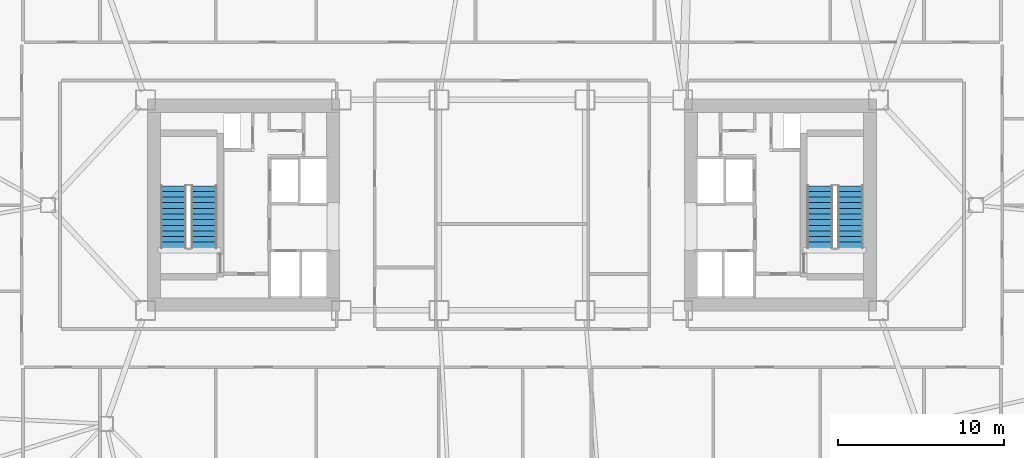
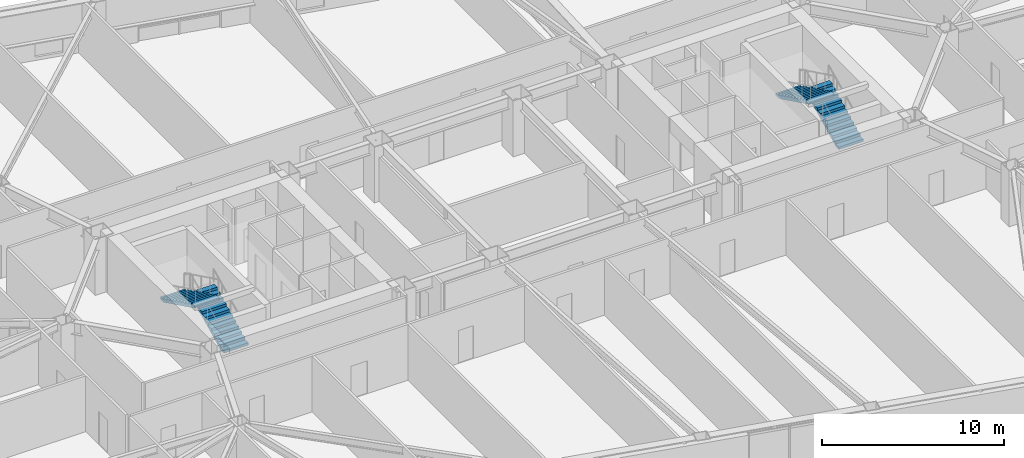
# One storey, part 14 of 21: 4 stair flights, 2 elements without a shape of their own.
"""IFC4 building model written with IfcOpenShell, lengths in metres."""

import ifcopenshell
import ifcopenshell.guid

model = None  # the IFC model being written
_history = None  # IfcOwnerHistory: only IFC2X3 demands one
_inside = {}  # id of a spatial element -> (the spatial element, [elements in it])
_under = {}  # id of a project, library or spatial element -> (it, [spatial elements below it])
_declared = {}  # id of a project -> (the project, [libraries it declares])
_typed = {}  # id of a type object -> (the type object, [elements of that type])
_made_of = {}  # id of a material, layer set ... -> (it, [elements and type objects made of it])


def new_model(schema):
    """Start an empty IFC model of exactly this schema.

    Asked for "IFC4X3", IfcOpenShell would pick the latest addendum, in which some entities
    have other attributes; the version numbers below select the first issue.
    IFC2X3 requires an IfcOwnerHistory on every rooted entity: one is made here for all.
    """
    global model, _history
    if schema == "IFC4X3":
        model = ifcopenshell.file(schema_version=(4, 3, 0, 0))
    else:
        model = ifcopenshell.file(schema=schema)
    _inside.clear()
    _under.clear()
    _declared.clear()
    _typed.clear()
    _made_of.clear()
    _history = None
    if model.schema == "IFC2X3":
        org = make("IfcOrganization", Name="unknown")
        user = make(
            "IfcPersonAndOrganization",
            ThePerson=make("IfcPerson", FamilyName="unknown"),
            TheOrganization=org,
        )
        app = make(
            "IfcApplication",
            ApplicationDeveloper=org,
            Version="unknown",
            ApplicationFullName="unknown",
            ApplicationIdentifier="unknown",
        )
        _history = make(
            "IfcOwnerHistory",
            OwningUser=user,
            OwningApplication=app,
            ChangeAction="ADDED",
            CreationDate=0,
        )
    return model


def make(cls, **values):
    """One entity of the class cls with the attributes given. An attribute that is None is left unset."""
    return model.create_entity(
        cls, **{name: value for name, value in values.items() if value is not None}
    )


def rooted(cls, **values):
    """An entity with a GlobalId (a new one), such as an element, a storey or a relation."""
    return make(cls, GlobalId=ifcopenshell.guid.new(), OwnerHistory=_history, **values)


def si_unit(unit_type, name, prefix=None):
    """IfcSIUnit, for example si_unit("LENGTHUNIT", "METRE", prefix="MILLI")."""
    return make("IfcSIUnit", UnitType=unit_type, Prefix=prefix, Name=name)


def assignment(units):
    """IfcUnitAssignment: the units of a project."""
    return None if units is None else make("IfcUnitAssignment", Units=units)


def point(xyz):
    """IfcCartesianPoint."""
    return None if xyz is None else make("IfcCartesianPoint", Coordinates=xyz)


def direction(xyz):
    """IfcDirection."""
    return None if xyz is None else make("IfcDirection", DirectionRatios=xyz)


def frame(location, z_axis=None, x_axis=None):
    """IfcAxis2Placement3D, a coordinate frame: its origin and axes. An axis left out is left unset."""
    return make(
        "IfcAxis2Placement3D",
        Location=point(location),
        Axis=direction(z_axis),
        RefDirection=direction(x_axis),
    )


def origin():
    """The frame at (0, 0, 0) with its axes left unset."""
    return frame((0.0, 0.0, 0.0))


def place(relative_to, where):
    """IfcLocalPlacement: puts the frame where relative to a parent placement (None: the world)."""
    return make(
        "IfcLocalPlacement", PlacementRelTo=relative_to, RelativePlacement=where
    )


def context(
    kind, dimensions, precision=None, world=None, true_north=None, identifier=None
):
    """IfcGeometricRepresentationContext, for example the 3D "Model" context."""
    return make(
        "IfcGeometricRepresentationContext",
        ContextIdentifier=identifier,
        ContextType=kind,
        CoordinateSpaceDimension=dimensions,
        Precision=precision,
        WorldCoordinateSystem=world,
        TrueNorth=true_north,
    )


def subcontext(parent, identifier, kind, view, scale=None):
    """IfcGeometricRepresentationSubContext, for example "Body" below "Model"."""
    return make(
        "IfcGeometricRepresentationSubContext",
        ContextIdentifier=identifier,
        ContextType=kind,
        ParentContext=parent,
        TargetScale=scale,
        TargetView=view,
    )


def project(units=None, contexts=None):
    """IfcProject with its units and contexts."""
    return rooted(
        "IfcProject",
        Name="project",
        RepresentationContexts=contexts,
        UnitsInContext=assignment(units),
    )


def spatial(cls, under=None, at=None, **own):
    """A site, building, storey or space (cls), placed at a placement, below another one or the project."""
    s = rooted(cls, ObjectPlacement=at, **own)
    if under is not None:
        _under.setdefault(under.id(), (under, []))[1].append(s)
    return s


def polyline(points):
    """IfcPolyline through the points."""
    return make("IfcPolyline", Points=[point(p) for p in points])


def outline(outer, holes=None, kind="AREA"):
    """IfcArbitraryClosedProfileDef: a profile drawn as a closed curve; with holes, ...WithVoids."""
    if holes is None:
        return make("IfcArbitraryClosedProfileDef", ProfileType=kind, OuterCurve=outer)
    return make(
        "IfcArbitraryProfileDefWithVoids",
        ProfileType=kind,
        OuterCurve=outer,
        InnerCurves=holes,
    )


def extrude(swept, where, along, depth):
    """IfcExtrudedAreaSolid: the profile swept, set in the frame where, extruded along a direction by depth."""
    return make(
        "IfcExtrudedAreaSolid",
        SweptArea=swept,
        Position=where,
        ExtrudedDirection=direction(along),
        Depth=depth,
    )


def shape(context_of_items, identifier, shape_type, items):
    """IfcShapeRepresentation: the items that make up one representation, for example the "Body"."""
    return make(
        "IfcShapeRepresentation",
        ContextOfItems=context_of_items,
        RepresentationIdentifier=identifier,
        RepresentationType=shape_type,
        Items=items,
    )


def material(Name=None, Category=None):
    """IfcMaterial."""
    return make("IfcMaterial", Name=Name, Category=Category)


def made_of(thing, what):
    """Note that an element or type object is made of a material, layer set ...; save() writes the relation."""
    if what is not None:
        _made_of.setdefault(what.id(), (what, []))[1].append(thing)
    return thing


def type_object(cls, material=None, **own):
    """A type object (cls), such as IfcWallType, which elements share."""
    return made_of(rooted(cls, **own), material)


def element(
    cls,
    number,
    at=None,
    inside=None,
    cuts=None,
    type_object=None,
    material=None,
    context=None,
    identifier="Body",
    shape_type=None,
    held_by="IfcProductDefinitionShape",
    body=None,
    shapes=None,
    **own,
):
    """One element of the class cls, such as IfcWall. Its Tag is "e" and its number.

    at: its placement. inside: the storey or other place that contains it. cuts: it is an
    opening in that element (IfcRelVoidsElement). A single representation is given by context,
    identifier, shape_type and body (its items); several are given by shapes. held_by: the class
    of the entity that holds the representations. save() writes the other relations.
    """
    e = rooted(cls, Tag="e%d" % number, ObjectPlacement=at, **own)
    if body is not None:
        shapes = [shape(context, identifier, shape_type, body)]
    if shapes is not None:
        e.Representation = make(held_by, Representations=shapes)
    if inside is not None:
        _inside.setdefault(inside.id(), (inside, []))[1].append(e)
    if cuts is not None:
        rooted(
            "IfcRelVoidsElement", RelatingBuildingElement=cuts, RelatedOpeningElement=e
        )
    if type_object is not None:
        _typed.setdefault(type_object.id(), (type_object, []))[1].append(e)
    return made_of(e, material)


def aggregate(whole, parts):
    """IfcRelAggregates: a whole, such as a stair, and the parts it consists of."""
    return rooted("IfcRelAggregates", RelatingObject=whole, RelatedObjects=parts)


def save(model, path):
    """Write the relations noted so far, then the file.

    IfcRelAggregates (storeys below a building ...), IfcRelContainedInSpatialStructure (elements
    in a storey), IfcRelDefinesByType, IfcRelAssociatesMaterial and IfcRelDeclares: one each for
    every whole, place, type object, material and project.
    """
    for whole, parts in _under.values():
        aggregate(whole, parts)
    for where, things in _inside.values():
        rooted(
            "IfcRelContainedInSpatialStructure",
            RelatedElements=things,
            RelatingStructure=where,
        )
    for kind, things in _typed.values():
        rooted("IfcRelDefinesByType", RelatedObjects=things, RelatingType=kind)
    for what, things in _made_of.values():
        rooted("IfcRelAssociatesMaterial", RelatedObjects=things, RelatingMaterial=what)
    for by, libraries in _declared.values():
        rooted("IfcRelDeclares", RelatingContext=by, RelatedDefinitions=libraries)
    model.write(path)


model = new_model("IFC4")

# Units and contexts
model_context = context("Model", 3, precision=1e-05, world=origin(), true_north=direction((0.0, 1.0)))
body_context = subcontext(model_context, "Body", "Model", "MODEL_VIEW")
ifc_project = project(units=[si_unit("LENGTHUNIT", "METRE"), si_unit("AREAUNIT", "SQUARE_METRE"), si_unit("VOLUMEUNIT", "CUBIC_METRE"), si_unit("PLANEANGLEUNIT", "RADIAN"), si_unit("MASSUNIT", "GRAM", prefix="KILO")], contexts=[model_context])

# Site, building, storey
site_placement = place(None, origin())
site = spatial("IfcSite", under=ifc_project, at=site_placement, CompositionType="ELEMENT")
building_placement = place(site_placement, origin())
building = spatial("IfcBuilding", under=site, at=building_placement, Name="Tavrogorsk Clinical Tower", CompositionType="ELEMENT")
storey_placement = place(building_placement, frame((0.0, 0.0, 59.39990234375)))
storey = spatial("IfcBuildingStorey", under=building, at=storey_placement, Name="L12", CompositionType="ELEMENT", Elevation=59.39990234375)

# Stair, stair flights
ifc_material_1 = material(Name="Concrete B60", Category="concrete")
stair_type = type_object("IfcStairType", Name="CoreStairAssembly", PredefinedType="HALF_TURN_STAIR", material=ifc_material_1)
stair_1_placement = place(storey_placement, origin())
stair_1 = element("IfcStair", 1, at=stair_1_placement, inside=storey, type_object=stair_type, Name="L12 ST-W", PredefinedType="HALF_TURN_STAIR")
ifc_material_2 = material(Name="Concrete B60", Category="concrete")
stair_flight_type = type_object("IfcStairFlightType", Name="CoreStairFlight", PredefinedType="STRAIGHT", material=ifc_material_2)
stair_flight_1_placement = place(storey_placement, frame((-18.574951171875, -2.574951171875, 0.0), z_axis=(0.0, 0.0, 1.0), x_axis=(0.0, 1.0, 0.0)))
stair_flight_1 = element("IfcStairFlight", 2, at=stair_flight_1_placement, type_object=stair_flight_type, Name="ST-W flight 1", NumberOfRisers=12, NumberOfTreads=11, PredefinedType="STRAIGHT", RiserHeight=0.166666667, TreadLength=0.34, context=body_context, shape_type="SweptSolid", body=[
    extrude(outline(polyline([(0.0, 0.0), (0.0, 0.166748046875), (0.340087890625, 0.166748046875), (0.340087890625, 0.333251953125), (0.679931640625, 0.333251953125), (0.679931640625, 0.5), (1.02001953125, 0.5), (1.02001953125, 0.666748046875), (1.360107421875, 0.666748046875), (1.360107421875, 0.833251953125), (1.699951171875, 0.833251953125), (1.699951171875, 1.0), (2.0400390625, 1.0), (2.0400390625, 1.166748046875), (2.3798828125, 1.166748046875), (2.3798828125, 1.333251953125), (2.719970703125, 1.333251953125), (2.719970703125, 1.5), (3.06005859375, 1.5), (3.06005859375, 1.666748046875), (3.39990234375, 1.666748046875), (3.39990234375, 1.833251953125), (3.739990234375, 1.833251953125), (3.739990234375, 2.0), (3.739990234375, 1.66650390625), (0.340576171875, 0.0), (0.0, 0.0)])), frame((0.0, 0.77490234375, 0.0), z_axis=(0.0, -1.0, 0.0), x_axis=(1.0, 0.0, 0.0)), (0.0, 0.0, 1.0), 1.550048828125),
])
stair_flight_2_placement = place(storey_placement, frame((-20.425048828125, 1.1650390625, 2.0), z_axis=(0.0, 0.0, 1.0), x_axis=(0.0, -1.0, 0.0)))
stair_flight_2 = element("IfcStairFlight", 3, at=stair_flight_2_placement, type_object=stair_flight_type, Name="ST-W flight 2", NumberOfRisers=12, NumberOfTreads=11, PredefinedType="STRAIGHT", RiserHeight=0.166666667, TreadLength=0.34, context=body_context, shape_type="SweptSolid", body=[
    extrude(outline(polyline([(0.0, 0.0), (0.0, 0.166748046875), (0.340087890625, 0.166748046875), (0.340087890625, 0.333251953125), (0.679931640625, 0.333251953125), (0.679931640625, 0.5), (1.02001953125, 0.5), (1.02001953125, 0.666748046875), (1.360107421875, 0.666748046875), (1.360107421875, 0.833251953125), (1.699951171875, 0.833251953125), (1.699951171875, 1.0), (2.0400390625, 1.0), (2.0400390625, 1.166748046875), (2.3798828125, 1.166748046875), (2.3798828125, 1.333251953125), (2.719970703125, 1.333251953125), (2.719970703125, 1.5), (3.06005859375, 1.5), (3.06005859375, 1.666748046875), (3.39990234375, 1.666748046875), (3.39990234375, 1.833251953125), (3.739990234375, 1.833251953125), (3.739990234375, 2.0), (3.739990234375, 1.66650390625), (0.340576171875, 0.0), (0.0, 0.0)])), frame((0.0, 0.77490234375, 0.0), z_axis=(0.0, -1.0, 0.0), x_axis=(1.0, 0.0, 0.0)), (0.0, 0.0, 1.0), 1.550048828125),
])
aggregate(stair_1, [stair_flight_1, stair_flight_2])

stair_2_placement = place(storey_placement, origin())
stair_2 = element("IfcStair", 4, at=stair_2_placement, inside=storey, type_object=stair_type, Name="L12 ST-E", PredefinedType="HALF_TURN_STAIR")
stair_flight_3_placement = place(storey_placement, frame((20.425048828125, -2.574951171875, 0.0), z_axis=(0.0, 0.0, 1.0), x_axis=(0.0, 1.0, 0.0)))
stair_flight_3 = element("IfcStairFlight", 5, at=stair_flight_3_placement, type_object=stair_flight_type, Name="ST-E flight 1", NumberOfRisers=12, NumberOfTreads=11, PredefinedType="STRAIGHT", RiserHeight=0.166666667, TreadLength=0.34, context=body_context, shape_type="SweptSolid", body=[
    extrude(outline(polyline([(0.0, 0.0), (0.0, 0.166748046875), (0.340087890625, 0.166748046875), (0.340087890625, 0.333251953125), (0.679931640625, 0.333251953125), (0.679931640625, 0.5), (1.02001953125, 0.5), (1.02001953125, 0.666748046875), (1.360107421875, 0.666748046875), (1.360107421875, 0.833251953125), (1.699951171875, 0.833251953125), (1.699951171875, 1.0), (2.0400390625, 1.0), (2.0400390625, 1.166748046875), (2.3798828125, 1.166748046875), (2.3798828125, 1.333251953125), (2.719970703125, 1.333251953125), (2.719970703125, 1.5), (3.06005859375, 1.5), (3.06005859375, 1.666748046875), (3.39990234375, 1.666748046875), (3.39990234375, 1.833251953125), (3.739990234375, 1.833251953125), (3.739990234375, 2.0), (3.739990234375, 1.66650390625), (0.340576171875, 0.0), (0.0, 0.0)])), frame((0.0, 0.77490234375, 0.0), z_axis=(0.0, -1.0, 0.0), x_axis=(1.0, 0.0, 0.0)), (0.0, 0.0, 1.0), 1.550048828125),
])
stair_flight_4_placement = place(storey_placement, frame((18.574951171875, 1.1650390625, 2.0), z_axis=(0.0, 0.0, 1.0), x_axis=(0.0, -1.0, 0.0)))
stair_flight_4 = element("IfcStairFlight", 6, at=stair_flight_4_placement, type_object=stair_flight_type, Name="ST-E flight 2", NumberOfRisers=12, NumberOfTreads=11, PredefinedType="STRAIGHT", RiserHeight=0.166666667, TreadLength=0.34, context=body_context, shape_type="SweptSolid", body=[
    extrude(outline(polyline([(0.0, 0.0), (0.0, 0.166748046875), (0.340087890625, 0.166748046875), (0.340087890625, 0.333251953125), (0.679931640625, 0.333251953125), (0.679931640625, 0.5), (1.02001953125, 0.5), (1.02001953125, 0.666748046875), (1.360107421875, 0.666748046875), (1.360107421875, 0.833251953125), (1.699951171875, 0.833251953125), (1.699951171875, 1.0), (2.0400390625, 1.0), (2.0400390625, 1.166748046875), (2.3798828125, 1.166748046875), (2.3798828125, 1.333251953125), (2.719970703125, 1.333251953125), (2.719970703125, 1.5), (3.06005859375, 1.5), (3.06005859375, 1.666748046875), (3.39990234375, 1.666748046875), (3.39990234375, 1.833251953125), (3.739990234375, 1.833251953125), (3.739990234375, 2.0), (3.739990234375, 1.66650390625), (0.340576171875, 0.0), (0.0, 0.0)])), frame((0.0, 0.77490234375, 0.0), z_axis=(0.0, -1.0, 0.0), x_axis=(1.0, 0.0, 0.0)), (0.0, 0.0, 1.0), 1.550048828125),
])
aggregate(stair_2, [stair_flight_3, stair_flight_4])

save(model, "model.ifc")
